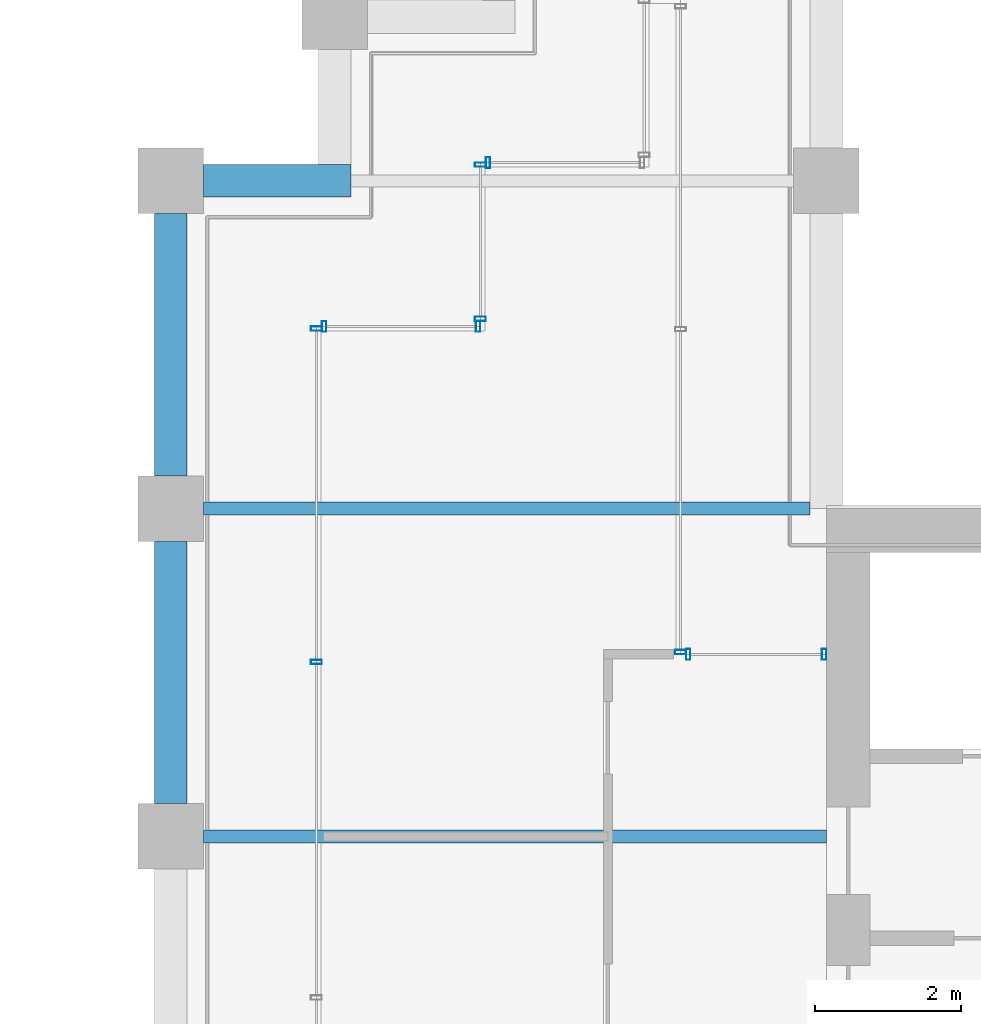
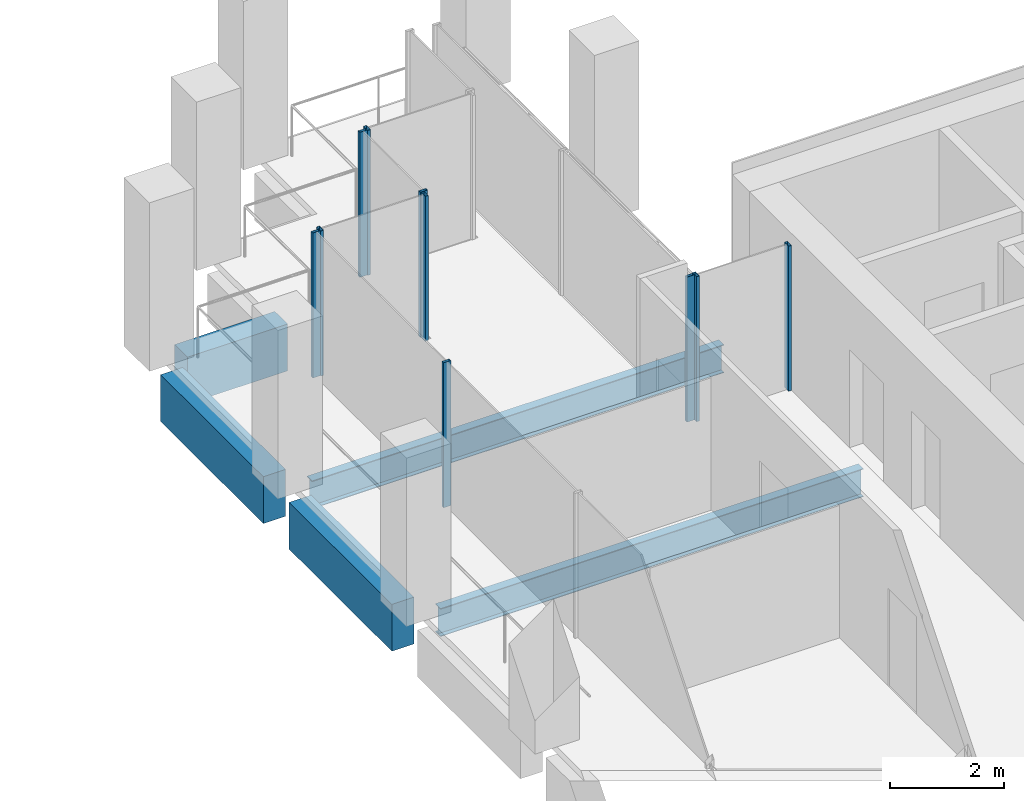
# One storey, part 32 of 40: 10 members, 5 beams, 6 elements without a shape of their own.
"""IFC4 building model written with IfcOpenShell, lengths in metres."""

from ifc_helpers import new_model, si_unit, direction, frame, origin, origin_2d, place, context, subcontext, project, spatial, rectangle, hollow_rectangle, i_section, extrude, material, material_profile, profile_set, type_object, element, aggregate, save


model = new_model("IFC4")

# Units and contexts
model_context = context("Model", 3, precision=1e-05, world=origin(), true_north=direction((0.0, 1.0)))
body_context = subcontext(model_context, "Body", "Model", "MODEL_VIEW")
ifc_project = project(units=[si_unit("LENGTHUNIT", "METRE"), si_unit("AREAUNIT", "SQUARE_METRE"), si_unit("VOLUMEUNIT", "CUBIC_METRE"), si_unit("PLANEANGLEUNIT", "RADIAN"), si_unit("MASSUNIT", "GRAM", prefix="KILO")], contexts=[model_context])

# Site, building, storey
site_placement = place(None, origin())
site = spatial("IfcSite", under=ifc_project, at=site_placement, CompositionType="ELEMENT")
building_placement = place(site_placement, origin())
building = spatial("IfcBuilding", under=site, at=building_placement, Name="Altepetl Exchange Towers", CompositionType="ELEMENT")
storey_placement = place(building_placement, frame((0.0, 0.0, 169.0)))
storey = spatial("IfcBuildingStorey", under=building, at=storey_placement, Name="L42", CompositionType="ELEMENT", Elevation=169.0)

# Beams
ifc_material_1 = material(Name="Steel S355", Category="steel")
ifc_material_profile_1 = material_profile(ifc_material_1, i_section(OverallWidth=0.177978515625, OverallDepth=0.59912109375, WebThickness=0.010009765625, FlangeThickness=0.0126953125, at=origin_2d()), Name="W24X55")
ifc_profile_set_1 = profile_set([ifc_material_profile_1], Name="Steel S355")
beam_type_1 = type_object("IfcBeamType", Name="Floor beam W24X55", PredefinedType="BEAM", material=ifc_profile_set_1)
beam_1_placement = place(storey_placement, frame((94.949951171875, 45.0, -0.449462890625), z_axis=(1.0, 0.0, 0.0), x_axis=(0.0, 1.0, 0.0)))
element("IfcBeam", 1, at=beam_1_placement, inside=storey, type_object=beam_type_1, Name="bm:B:L42:005", PredefinedType="BEAM", context=body_context, shape_type="SweptSolid", body=[
    extrude(i_section(OverallWidth=0.177978515625, OverallDepth=0.59912109375, WebThickness=0.010009765625, FlangeThickness=0.0126953125, at=origin_2d()), origin(), (0.0, 0.0, 1.0), 8.550048828125),
])
beam_2_placement = place(storey_placement, frame((94.949951171875, 49.5, -0.449462890625), z_axis=(1.0, 0.0, 0.0), x_axis=(0.0, 1.0, 0.0)))
element("IfcBeam", 2, at=beam_2_placement, inside=storey, type_object=beam_type_1, Name="bm:B:L42:006", PredefinedType="BEAM", context=body_context, shape_type="SweptSolid", body=[
    extrude(i_section(OverallWidth=0.177978515625, OverallDepth=0.59912109375, WebThickness=0.010009765625, FlangeThickness=0.0126953125, at=origin_2d()), origin(), (0.0, 0.0, 1.0), 8.324951171875),
])

# Curtain wall, members
ifc_material_2 = material(Name="Aluminium 6063-T6 glazing", Category="aluminium")
curtain_wall_type = type_object("IfcCurtainWallType", Name="Loggia glazing system", PredefinedType="NOTDEFINED", material=ifc_material_2)
curtain_wall_1_placement = place(storey_placement, origin())
curtain_wall_1 = element("IfcCurtainWall", 3, at=curtain_wall_1_placement, inside=storey, type_object=curtain_wall_type, Name="CW1 run", PredefinedType="NOTDEFINED")
ifc_material_3 = material(Name="Aluminium 6063-T6", Category="aluminium")
ifc_material_profile_2 = material_profile(ifc_material_3, hollow_rectangle(XDim=0.06005859375, YDim=0.14990234375, WallThickness=0.0029296875, at=origin_2d()), Name="Mullion 60x150 aluminium")
ifc_profile_set_2 = profile_set([ifc_material_profile_2], Name="Aluminium 6063-T6")
member_type = type_object("IfcMemberType", Name="Mullion 60x150 aluminium", PredefinedType="MULLION", material=ifc_profile_set_2)
member_1_placement = place(storey_placement, frame((103.469970703125, 47.5, 0.0), z_axis=(0.0, 0.0, 1.0), x_axis=(-1.0, 0.0, 0.0)))
member_1 = element("IfcMember", 4, at=member_1_placement, type_object=member_type, Name="MU1 mullion", PredefinedType="MULLION", context=body_context, shape_type="SweptSolid", body=[
    extrude(hollow_rectangle(XDim=0.06005859375, YDim=0.14990234375, WallThickness=0.0029296875, at=origin_2d()), origin(), (0.0, 0.0, 1.0), 3.10009765625),
])
member_2_placement = place(storey_placement, frame((101.60498046875, 47.5, 0.0), z_axis=(0.0, 0.0, 1.0), x_axis=(-1.0, 0.0, 0.0)))
member_2 = element("IfcMember", 5, at=member_2_placement, type_object=member_type, Name="MU1 mullion", PredefinedType="MULLION", context=body_context, shape_type="SweptSolid", body=[
    extrude(hollow_rectangle(XDim=0.06005859375, YDim=0.14990234375, WallThickness=0.0029296875, at=origin_2d()), origin(), (0.0, 0.0, 1.0), 3.10009765625),
])
aggregate(curtain_wall_1, [member_1, member_2])

# Curtain wall, member
curtain_wall_2_placement = place(storey_placement, origin())
curtain_wall_2 = element("IfcCurtainWall", 6, at=curtain_wall_2_placement, inside=storey, type_object=curtain_wall_type, Name="CW1 run", PredefinedType="NOTDEFINED")
member_3_placement = place(storey_placement, frame((101.5, 47.530029296875, 0.0), z_axis=(0.0, 0.0, 1.0), x_axis=(0.0, 1.0, 0.0)))
member_3 = element("IfcMember", 7, at=member_3_placement, type_object=member_type, Name="MU1 mullion", PredefinedType="MULLION", context=body_context, shape_type="SweptSolid", body=[
    extrude(hollow_rectangle(XDim=0.06005859375, YDim=0.14990234375, WallThickness=0.0029296875, at=origin_2d()), origin(), (0.0, 0.0, 1.0), 3.10009765625),
])
aggregate(curtain_wall_2, [member_3])

curtain_wall_3_placement = place(storey_placement, origin())
curtain_wall_3 = element("IfcCurtainWall", 8, at=curtain_wall_3_placement, inside=storey, type_object=curtain_wall_type, Name="CW1 run", PredefinedType="NOTDEFINED")
member_4_placement = place(storey_placement, frame((98.85498046875, 54.25, 0.0), z_axis=(0.0, 0.0, 1.0), x_axis=(-1.0, 0.0, 0.0)))
member_4 = element("IfcMember", 9, at=member_4_placement, type_object=member_type, Name="MU1 mullion", PredefinedType="MULLION", context=body_context, shape_type="SweptSolid", body=[
    extrude(hollow_rectangle(XDim=0.06005859375, YDim=0.14990234375, WallThickness=0.0029296875, at=origin_2d()), origin(), (0.0, 0.0, 1.0), 3.10009765625),
])
aggregate(curtain_wall_3, [member_4])

# Curtain wall, members
curtain_wall_4_placement = place(storey_placement, origin())
curtain_wall_4 = element("IfcCurtainWall", 10, at=curtain_wall_4_placement, inside=storey, type_object=curtain_wall_type, Name="CW1 run", PredefinedType="NOTDEFINED")
member_5_placement = place(storey_placement, frame((98.75, 54.219970703125, 0.0), z_axis=(0.0, 0.0, 1.0), x_axis=(0.0, -1.0, 0.0)))
member_5 = element("IfcMember", 11, at=member_5_placement, type_object=member_type, Name="MU1 mullion", PredefinedType="MULLION", context=body_context, shape_type="SweptSolid", body=[
    extrude(hollow_rectangle(XDim=0.06005859375, YDim=0.14990234375, WallThickness=0.0029296875, at=origin_2d()), origin(), (0.0, 0.0, 1.0), 3.10009765625),
])
member_6_placement = place(storey_placement, frame((98.75, 52.10498046875, 0.0), z_axis=(0.0, 0.0, 1.0), x_axis=(0.0, -1.0, 0.0)))
member_6 = element("IfcMember", 12, at=member_6_placement, type_object=member_type, Name="MU1 mullion", PredefinedType="MULLION", context=body_context, shape_type="SweptSolid", body=[
    extrude(hollow_rectangle(XDim=0.06005859375, YDim=0.14990234375, WallThickness=0.0029296875, at=origin_2d()), origin(), (0.0, 0.0, 1.0), 3.10009765625),
])
aggregate(curtain_wall_4, [member_5, member_6])

curtain_wall_5_placement = place(storey_placement, origin())
curtain_wall_5 = element("IfcCurtainWall", 13, at=curtain_wall_5_placement, inside=storey, type_object=curtain_wall_type, Name="CW1 run", PredefinedType="NOTDEFINED")
member_7_placement = place(storey_placement, frame((98.719970703125, 52.0, 0.0), z_axis=(0.0, 0.0, 1.0), x_axis=(-1.0, 0.0, 0.0)))
member_7 = element("IfcMember", 14, at=member_7_placement, type_object=member_type, Name="MU1 mullion", PredefinedType="MULLION", context=body_context, shape_type="SweptSolid", body=[
    extrude(hollow_rectangle(XDim=0.06005859375, YDim=0.14990234375, WallThickness=0.0029296875, at=origin_2d()), origin(), (0.0, 0.0, 1.0), 3.10009765625),
])
member_8_placement = place(storey_placement, frame((96.60498046875, 52.0, 0.0), z_axis=(0.0, 0.0, 1.0), x_axis=(-1.0, 0.0, 0.0)))
member_8 = element("IfcMember", 15, at=member_8_placement, type_object=member_type, Name="MU1 mullion", PredefinedType="MULLION", context=body_context, shape_type="SweptSolid", body=[
    extrude(hollow_rectangle(XDim=0.06005859375, YDim=0.14990234375, WallThickness=0.0029296875, at=origin_2d()), origin(), (0.0, 0.0, 1.0), 3.10009765625),
])
aggregate(curtain_wall_5, [member_7, member_8])

curtain_wall_6_placement = place(storey_placement, origin())
curtain_wall_6 = element("IfcCurtainWall", 16, at=curtain_wall_6_placement, inside=storey, type_object=curtain_wall_type, Name="CW1 run", PredefinedType="NOTDEFINED")
member_9_placement = place(storey_placement, frame((96.5, 51.969970703125, 0.0), z_axis=(0.0, 0.0, 1.0), x_axis=(0.0, -1.0, 0.0)))
member_9 = element("IfcMember", 17, at=member_9_placement, type_object=member_type, Name="MU1 mullion", PredefinedType="MULLION", context=body_context, shape_type="SweptSolid", body=[
    extrude(hollow_rectangle(XDim=0.06005859375, YDim=0.14990234375, WallThickness=0.0029296875, at=origin_2d()), origin(), (0.0, 0.0, 1.0), 3.10009765625),
])
member_10_placement = place(storey_placement, frame((96.5, 47.393798828125, 0.0), z_axis=(0.0, 0.0, 1.0), x_axis=(0.0, -1.0, 0.0)))
member_10 = element("IfcMember", 18, at=member_10_placement, type_object=member_type, Name="MU1 mullion", PredefinedType="MULLION", context=body_context, shape_type="SweptSolid", body=[
    extrude(hollow_rectangle(XDim=0.06005859375, YDim=0.14990234375, WallThickness=0.0029296875, at=origin_2d()), origin(), (0.0, 0.0, 1.0), 3.10009765625),
])
aggregate(curtain_wall_6, [member_9, member_10])

# Beams
ifc_material_4 = material(Name="Concrete C50/60 precast with cantera rosa facing", Category="concrete")
ifc_material_profile_3 = material_profile(ifc_material_4, rectangle(XDim=0.449951171875, YDim=1.0, at=origin_2d()), Name="450 x 1000")
ifc_profile_set_3 = profile_set([ifc_material_profile_3], Name="Concrete C50/60 precast with cantera rosa facing")
beam_type_2 = type_object("IfcBeamType", Name="Spandrel beam 450x1000 cantera rosa", PredefinedType="SPANDREL", material=ifc_profile_set_3)
beam_3_placement = place(storey_placement, frame((96.97509765625, 54.0, -0.64990234375), z_axis=(-1.0, 0.0, 0.0), x_axis=(0.0, -1.0, 0.0)))
element("IfcBeam", 19, at=beam_3_placement, inside=storey, type_object=beam_type_2, Name="sp:B:L42:014", PredefinedType="SPANDREL", context=body_context, shape_type="SweptSolid", body=[
    extrude(rectangle(XDim=0.449951171875, YDim=1.0, at=origin_2d()), origin(), (0.0, 0.0, 1.0), 2.025146484375),
])
for number, where, z_axis, x_axis, name in (
    (20, (94.5, 53.550048828125, -0.64990234375), (0.0, -1.0, 0.0), (1.0, 0.0, 0.0), "sp:B:L42:015"),
    (21, (94.5, 49.050048828125, -0.64990234375), (0.0, -1.0, 0.0), (1.0, 0.0, 0.0), "sp:B:L42:016"),
):
    element("IfcBeam", number, at=place(storey_placement, frame(where, z_axis=z_axis, x_axis=x_axis)), inside=storey, type_object=beam_type_2, Name=name, PredefinedType="SPANDREL", context=body_context, shape_type="SweptSolid", body=[
        extrude(rectangle(XDim=0.449951171875, YDim=1.0, at=origin_2d()), origin(), (0.0, 0.0, 1.0), 3.60009765625),
    ])

save(model, "model.ifc")
